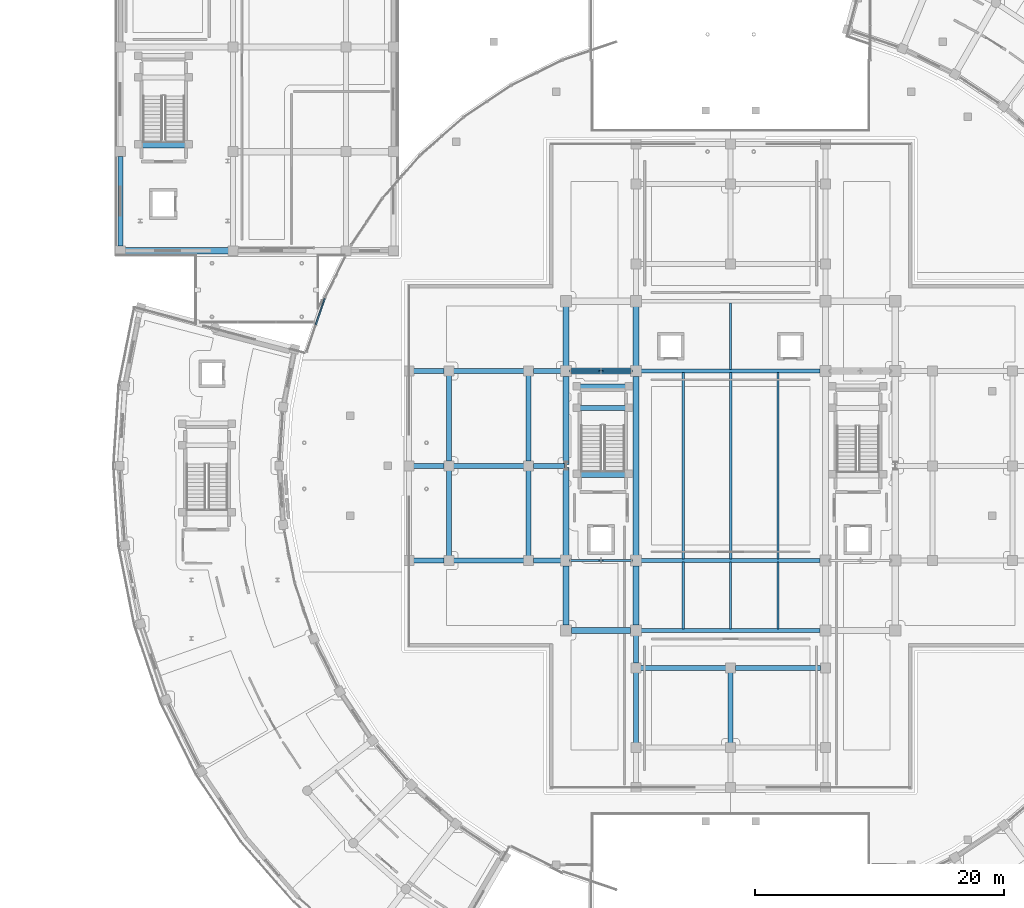
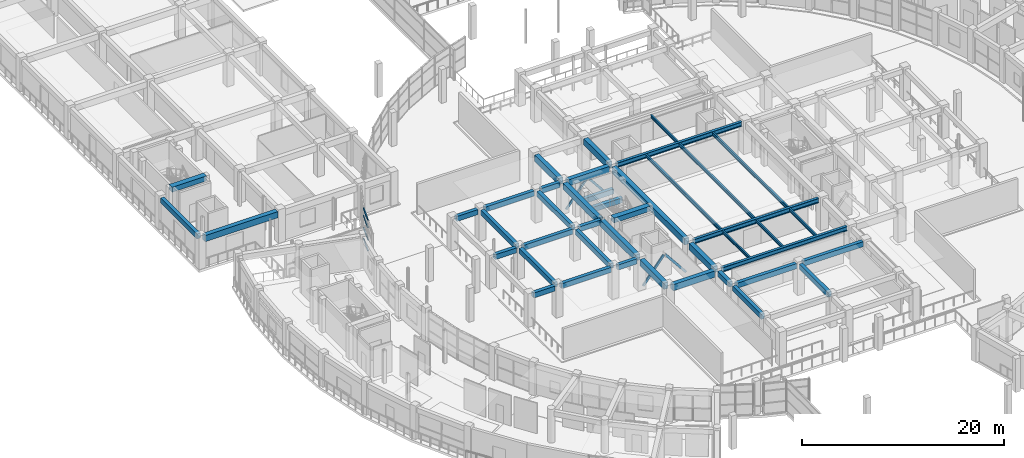
# One storey, part 27 of 87: 43 beams, 8 members, 1 element without a shape of its own.
"""IFC4 building model written with IfcOpenShell, lengths in metres."""

from ifc_helpers import new_model, si_unit, direction, frame, origin, origin_2d, place, context, subcontext, project, spatial, rectangle, hollow_rectangle, i_section, extrude, material, material_profile, profile_set, type_object, element, aggregate, save


model = new_model("IFC4")

# Units and contexts
model_context = context("Model", 3, precision=1e-05, world=origin(), true_north=direction((0.0, 1.0)))
body_context = subcontext(model_context, "Body", "Model", "MODEL_VIEW")
ifc_project = project(units=[si_unit("LENGTHUNIT", "METRE"), si_unit("AREAUNIT", "SQUARE_METRE"), si_unit("VOLUMEUNIT", "CUBIC_METRE"), si_unit("PLANEANGLEUNIT", "RADIAN"), si_unit("MASSUNIT", "GRAM", prefix="KILO")], contexts=[model_context])

# Site, building, storey
site_placement = place(None, origin())
site = spatial("IfcSite", under=ifc_project, at=site_placement, CompositionType="ELEMENT")
building_placement = place(site_placement, origin())
building = spatial("IfcBuilding", under=site, at=building_placement, Name="Saryqyr Civic Hall", CompositionType="ELEMENT")
storey_placement = place(building_placement, frame((0.0, 0.0, 5.10009765625)))
storey = spatial("IfcBuildingStorey", under=building, at=storey_placement, Name="L01", CompositionType="ELEMENT", Elevation=5.10009765625)

# Curtain wall, members
ifc_material_1 = material(Name="Anodised aluminium and triple low-E glass", Category="aluminium")
curtain_wall_type = type_object("IfcCurtainWallType", Name="ENV-CW-STD-74", PredefinedType="NOTDEFINED", material=ifc_material_1)
curtain_wall_placement = place(storey_placement, origin())
curtain_wall = element("IfcCurtainWall", 1, at=curtain_wall_placement, inside=storey, type_object=curtain_wall_type, Name="Curtain wall V2-PERIM-CW-L01-21", PredefinedType="NOTDEFINED")
ifc_material_2 = material(Name="Anodised aluminium", Category="aluminium")
ifc_material_profile_1 = material_profile(ifc_material_2, rectangle(XDim=0.1201171875, YDim=0.06005859375, at=origin_2d()), Name="ALU TRANSOM 120x60")
ifc_profile_set_1 = profile_set([ifc_material_profile_1], Name="Anodised aluminium")
member_type_1 = type_object("IfcMemberType", Name="ENV-CW-TRN-150", PredefinedType="USERDEFINED", material=ifc_profile_set_1)
member_1_placement = place(storey_placement, frame((23.730224609375, 95.3251953125, 0.02978515625), z_axis=(0.321384650933, 0.946948734697, 0.0), x_axis=(-0.946948734697, 0.321384650933, 0.0)))
member_1 = element("IfcMember", 2, at=member_1_placement, type_object=member_type_1, Name="CW-74 transom 2.1", ObjectType="TRANSOM", PredefinedType="USERDEFINED", context=body_context, shape_type="SweptSolid", body=[
    extrude(rectangle(XDim=0.1201171875, YDim=0.06005859375, at=origin_2d()), origin(), (0.0, 0.0, 1.0), 2.213623046875),
])
member_2_placement = place(storey_placement, frame((23.730224609375, 95.3251953125, 1.331787109375), z_axis=(0.321384650933, 0.946948734697, 0.0), x_axis=(-0.946948734697, 0.321384650933, 0.0)))
member_2 = element("IfcMember", 3, at=member_2_placement, type_object=member_type_1, Name="CW-74 transom 2.2", ObjectType="TRANSOM", PredefinedType="USERDEFINED", context=body_context, shape_type="SweptSolid", body=[
    extrude(rectangle(XDim=0.1201171875, YDim=0.06005859375, at=origin_2d()), origin(), (0.0, 0.0, 1.0), 2.213623046875),
])
member_3_placement = place(storey_placement, frame((23.730224609375, 95.3251953125, 2.81201171875), z_axis=(0.321384650933, 0.946948734697, 0.0), x_axis=(-0.946948734697, 0.321384650933, 0.0)))
member_3 = element("IfcMember", 4, at=member_3_placement, type_object=member_type_1, Name="CW-74 transom 2.3", ObjectType="TRANSOM", PredefinedType="USERDEFINED", context=body_context, shape_type="SweptSolid", body=[
    extrude(rectangle(XDim=0.1201171875, YDim=0.06005859375, at=origin_2d()), origin(), (0.0, 0.0, 1.0), 2.213623046875),
])
member_4_placement = place(storey_placement, frame((23.730224609375, 95.3251953125, 3.669921875), z_axis=(0.321384650933, 0.946948734697, 0.0), x_axis=(-0.946948734697, 0.321384650933, 0.0)))
member_4 = element("IfcMember", 5, at=member_4_placement, type_object=member_type_1, Name="CW-74 transom 2.4", ObjectType="TRANSOM", PredefinedType="USERDEFINED", context=body_context, shape_type="SweptSolid", body=[
    extrude(rectangle(XDim=0.1201171875, YDim=0.06005859375, at=origin_2d()), origin(), (0.0, 0.0, 1.0), 2.213623046875),
])
aggregate(curtain_wall, [member_1, member_2, member_3, member_4])

# Beams
ifc_material_3 = material(Name="Steel S355", Category="steel")
ifc_material_profile_2 = material_profile(ifc_material_3, i_section(OverallWidth=0.300048828125, OverallDepth=0.550048828125, WebThickness=0.014892578125, FlangeThickness=0.029052734375, at=origin_2d()), Name="HEB 550")
ifc_profile_set_2 = profile_set([ifc_material_profile_2], Name="Steel S355")
beam_type_1 = type_object("IfcBeamType", Name="STR-BM-HEB550", PredefinedType="BEAM", material=ifc_profile_set_2)
for number, where, z_axis, x_axis, name in (
    (6, (49.824951171875, 70.800048828125, 3.494873046875), (1.0, 0.0, 0.0), (0.0, 1.0, 0.0), "Beam V1-GBM-EW1-L01"),
    (7, (49.824951171875, 76.39990234375, 3.494873046875), (1.0, 0.0, 0.0), (0.0, 1.0, 0.0), "Beam V1-GBM-EW2-L01"),
    (8, (49.824951171875, 91.60009765625, 3.494873046875), (1.0, 0.0, 0.0), (0.0, 1.0, 0.0), "Beam V1-GBM-EW3-L01"),
):
    element("IfcBeam", number, at=place(storey_placement, frame(where, z_axis=z_axis, x_axis=x_axis)), inside=storey, type_object=beam_type_1, Name=name, PredefinedType="BEAM", context=body_context, shape_type="SweptSolid", body=[
        extrude(i_section(OverallWidth=0.300048828125, OverallDepth=0.550048828125, WebThickness=0.014892578125, FlangeThickness=0.029052734375, at=origin_2d()), origin(), (0.0, 0.0, 1.0), 14.35009765625),
    ])
ifc_material_4 = material(Name="Concrete C35/45", Category="concrete")
ifc_material_profile_3 = material_profile(ifc_material_4, rectangle(XDim=0.39990234375, YDim=0.60009765625, at=origin_2d()), Name="RC 400x600")
ifc_profile_set_3 = profile_set([ifc_material_profile_3], Name="Concrete C35/45")
beam_type_2 = type_object("IfcBeamType", Name="STR-BM-RC400x600", PredefinedType="BEAM", material=ifc_profile_set_3)
for number, where, z_axis, x_axis, name in (
    (9, (31.574951171875, 76.39990234375, 3.469970703125), (1.0, 0.0, 0.0), (0.0, 1.0, 0.0), "Beam V1-TBM-01-L01"),
    (10, (31.574951171875, 84.0, 3.469970703125), (1.0, 0.0, 0.0), (0.0, 1.0, 0.0), "Beam V1-TBM-02-L01"),
    (11, (31.574951171875, 91.60009765625, 3.469970703125), (1.0, 0.0, 0.0), (0.0, 1.0, 0.0), "Beam V1-TBM-03-L01"),
):
    element("IfcBeam", number, at=place(storey_placement, frame(where, z_axis=z_axis, x_axis=x_axis)), inside=storey, type_object=beam_type_2, Name=name, PredefinedType="BEAM", context=body_context, shape_type="SweptSolid", body=[
        extrude(rectangle(XDim=0.39990234375, YDim=0.60009765625, at=origin_2d()), origin(), (0.0, 0.0, 1.0), 2.449951171875),
    ])
for number, where, z_axis, x_axis, name in (
    (12, (34.77490234375, 76.39990234375, 3.469970703125), (1.0, 0.0, 0.0), (0.0, 1.0, 0.0), "Beam V1-TBM-21-L01"),
    (13, (34.77490234375, 84.0, 3.469970703125), (1.0, 0.0, 0.0), (0.0, 1.0, 0.0), "Beam V1-TBM-22-L01"),
    (14, (34.77490234375, 91.60009765625, 3.469970703125), (1.0, 0.0, 0.0), (0.0, 1.0, 0.0), "Beam V1-TBM-23-L01"),
    (15, (49.39990234375, 61.77490234375, 3.469970703125), (0.0, 1.0, 0.0), (-1.0, 0.0, 0.0), "Beam V1-TBM-27-L01"),
    (16, (57.0, 61.77490234375, 3.469970703125), (0.0, 1.0, 0.0), (-1.0, 0.0, 0.0), "Beam V1-TBM-28-L01"),
):
    element("IfcBeam", number, at=place(storey_placement, frame(where, z_axis=z_axis, x_axis=x_axis)), inside=storey, type_object=beam_type_2, Name=name, PredefinedType="BEAM", context=body_context, shape_type="SweptSolid", body=[
        extrude(rectangle(XDim=0.39990234375, YDim=0.60009765625, at=origin_2d()), origin(), (0.0, 0.0, 1.0), 5.650146484375),
    ])
for number, where, z_axis, x_axis, name in (
    (17, (34.39990234375, 76.77490234375, 3.469970703125), (0.0, 1.0, 0.0), (-1.0, 0.0, 0.0), "Beam V1-TBM-33-L01"),
    (18, (34.39990234375, 84.375, 3.469970703125), (0.0, 1.0, 0.0), (-1.0, 0.0, 0.0), "Beam V1-TBM-34-L01"),
):
    element("IfcBeam", number, at=place(storey_placement, frame(where, z_axis=z_axis, x_axis=x_axis)), inside=storey, type_object=beam_type_2, Name=name, PredefinedType="BEAM", context=body_context, shape_type="SweptSolid", body=[
        extrude(rectangle(XDim=0.39990234375, YDim=0.60009765625, at=origin_2d()), origin(), (0.0, 0.0, 1.0), 6.85009765625),
    ])
beam_1_placement = place(storey_placement, frame((41.175048828125, 76.39990234375, 3.469970703125), z_axis=(1.0, 0.0, 0.0), x_axis=(0.0, 1.0, 0.0)))
element("IfcBeam", 19, at=beam_1_placement, inside=storey, type_object=beam_type_2, Name="Beam V1-TBM-41-L01", PredefinedType="BEAM", context=body_context, shape_type="SweptSolid", body=[
    extrude(rectangle(XDim=0.39990234375, YDim=0.60009765625, at=origin_2d()), origin(), (0.0, 0.0, 1.0), 2.199951171875),
])
beam_2_placement = place(storey_placement, frame((41.175048828125, 84.0, 3.469970703125), z_axis=(1.0, 0.0, 0.0), x_axis=(0.0, 1.0, 0.0)))
element("IfcBeam", 20, at=beam_2_placement, inside=storey, type_object=beam_type_2, Name="Beam V1-TBM-42-L01", PredefinedType="BEAM", context=body_context, shape_type="SweptSolid", body=[
    extrude(rectangle(XDim=0.39990234375, YDim=0.60009765625, at=origin_2d()), origin(), (0.0, 0.0, 1.0), 2.5),
])
for number, where, z_axis, x_axis, name in (
    (21, (41.175048828125, 91.60009765625, 3.469970703125), (1.0, 0.0, 0.0), (0.0, 1.0, 0.0), "Beam V1-TBM-43-L01"),
    (22, (49.39990234375, 68.175048828125, 3.469970703125), (0.0, 1.0, 0.0), (-1.0, 0.0, 0.0), "Beam V1-TBM-47-L01"),
):
    element("IfcBeam", number, at=place(storey_placement, frame(where, z_axis=z_axis, x_axis=x_axis)), inside=storey, type_object=beam_type_2, Name=name, PredefinedType="BEAM", context=body_context, shape_type="SweptSolid", body=[
        extrude(rectangle(XDim=0.39990234375, YDim=0.60009765625, at=origin_2d()), origin(), (0.0, 0.0, 1.0), 2.199951171875),
    ])
for number, where, z_axis, x_axis, name in (
    (23, (40.800048828125, 76.77490234375, 3.469970703125), (0.0, 1.0, 0.0), (-1.0, 0.0, 0.0), "Beam V1-TBM-51-L01"),
    (24, (40.800048828125, 84.375, 3.469970703125), (0.0, 1.0, 0.0), (-1.0, 0.0, 0.0), "Beam V1-TBM-52-L01"),
    (25, (49.77490234375, 67.800048828125, 3.469970703125), (1.0, 0.0, 0.0), (0.0, 1.0, 0.0), "Beam V1-TBM-55-L01"),
    (26, (57.375, 67.800048828125, 3.469970703125), (1.0, 0.0, 0.0), (0.0, 1.0, 0.0), "Beam V1-TBM-56-L01"),
):
    element("IfcBeam", number, at=place(storey_placement, frame(where, z_axis=z_axis, x_axis=x_axis)), inside=storey, type_object=beam_type_2, Name=name, PredefinedType="BEAM", context=body_context, shape_type="SweptSolid", body=[
        extrude(rectangle(XDim=0.39990234375, YDim=0.60009765625, at=origin_2d()), origin(), (0.0, 0.0, 1.0), 6.85009765625),
    ])
beam_3_placement = place(storey_placement, frame((8.050048828125, 101.625, 3.469970703125), z_axis=(0.0, 1.0, 0.0), x_axis=(-1.0, 0.0, 0.0)))
element("IfcBeam", 27, at=beam_3_placement, inside=storey, type_object=beam_type_2, Name="Beam V3-BM-NS-1-1-L01", PredefinedType="BEAM", context=body_context, shape_type="SweptSolid", body=[
    extrude(rectangle(XDim=0.39990234375, YDim=0.60009765625, at=origin_2d()), origin(), (0.0, 0.0, 1.0), 7.199951171875),
])
for number, where, z_axis, x_axis, name in (
    (28, (48.800048828125, 88.64990234375, 1.52490234375), (-1.0, 0.0, 0.0), (0.0, -1.0, 0.0), "Stair half-landing support beam ST-1-LND1-L01"),
    (29, (48.800048828125, 90.3798828125, 1.52490234375), (-1.0, 0.0, 0.0), (0.0, -1.0, 0.0), "Stair half-landing support beam ST-1-LND2-L01"),
):
    element("IfcBeam", number, at=place(storey_placement, frame(where, z_axis=z_axis, x_axis=x_axis)), inside=storey, type_object=beam_type_2, Name=name, PredefinedType="BEAM", context=body_context, shape_type="SweptSolid", body=[
        extrude(rectangle(XDim=0.39990234375, YDim=0.60009765625, at=origin_2d()), origin(), (0.0, 0.0, 1.0), 4.10009765625),
    ])
ifc_material_5 = material(Name="Concrete C40/50", Category="concrete")
ifc_material_profile_4 = material_profile(ifc_material_5, rectangle(XDim=0.5, YDim=0.75, at=origin_2d()), Name="RC 500x750")
ifc_profile_set_4 = profile_set([ifc_material_profile_4], Name="Concrete C40/50")
beam_type_3 = type_object("IfcBeamType", Name="STR-BM-RC500x750", PredefinedType="BEAM", material=ifc_profile_set_4)
for number, where, z_axis, x_axis, name in (
    (30, (44.22509765625, 70.800048828125, 3.39501953125), (1.0, 0.0, 0.0), (0.0, 1.0, 0.0), "Beam V1-WBM-W1-L01"),
    (31, (44.22509765625, 91.60009765625, 3.39501953125), (1.0, 0.0, 0.0), (0.0, 1.0, 0.0), "Beam V1-WBM-W3-L01"),
    (32, (43.800048828125, 71.22509765625, 3.39501953125), (0.0, 1.0, 0.0), (-1.0, 0.0, 0.0), "Beam V1-BM-NS11-L01"),
):
    element("IfcBeam", number, at=place(storey_placement, frame(where, z_axis=z_axis, x_axis=x_axis)), inside=storey, type_object=beam_type_3, Name=name, PredefinedType="BEAM", context=body_context, shape_type="SweptSolid", body=[
        extrude(rectangle(XDim=0.5, YDim=0.75, at=origin_2d()), origin(), (0.0, 0.0, 1.0), 4.75),
    ])
for number, where, z_axis, x_axis, name in (
    (33, (43.800048828125, 76.824951171875, 3.39501953125), (0.0, 1.0, 0.0), (-1.0, 0.0, 0.0), "Beam V1-BM-NS1A-L01"),
    (34, (43.800048828125, 84.125, 3.39501953125), (0.0, 1.0, 0.0), (-1.0, 0.0, 0.0), "Beam V1-BM-NS1B-L01"),
):
    element("IfcBeam", number, at=place(storey_placement, frame(where, z_axis=z_axis, x_axis=x_axis)), inside=storey, type_object=beam_type_3, Name=name, PredefinedType="BEAM", context=body_context, shape_type="SweptSolid", body=[
        extrude(rectangle(XDim=0.5, YDim=0.75, at=origin_2d()), origin(), (0.0, 0.0, 1.0), 7.050048828125),
    ])
for number, where, z_axis, x_axis, name in (
    (35, (43.800048828125, 92.02490234375, 3.39501953125), (0.0, 1.0, 0.0), (-1.0, 0.0, 0.0), "Beam V1-BM-NS13-L01"),
    (36, (49.39990234375, 71.22509765625, 3.39501953125), (0.0, 1.0, 0.0), (-1.0, 0.0, 0.0), "Beam V1-BM-NS21-L01"),
):
    element("IfcBeam", number, at=place(storey_placement, frame(where, z_axis=z_axis, x_axis=x_axis)), inside=storey, type_object=beam_type_3, Name=name, PredefinedType="BEAM", context=body_context, shape_type="SweptSolid", body=[
        extrude(rectangle(XDim=0.5, YDim=0.75, at=origin_2d()), origin(), (0.0, 0.0, 1.0), 4.75),
    ])
beam_4_placement = place(storey_placement, frame((49.39990234375, 76.824951171875, 3.39501953125), z_axis=(0.0, 1.0, 0.0), x_axis=(-1.0, 0.0, 0.0)))
element("IfcBeam", 37, at=beam_4_placement, inside=storey, type_object=beam_type_3, Name="Beam V1-BM-NS22-L01", PredefinedType="BEAM", context=body_context, shape_type="SweptSolid", body=[
    extrude(rectangle(XDim=0.5, YDim=0.75, at=origin_2d()), origin(), (0.0, 0.0, 1.0), 14.35009765625),
])
beam_5_placement = place(storey_placement, frame((49.39990234375, 92.02490234375, 3.39501953125), z_axis=(0.0, 1.0, 0.0), x_axis=(-1.0, 0.0, 0.0)))
element("IfcBeam", 38, at=beam_5_placement, inside=storey, type_object=beam_type_3, Name="Beam V1-BM-NS23-L01", PredefinedType="BEAM", context=body_context, shape_type="SweptSolid", body=[
    extrude(rectangle(XDim=0.5, YDim=0.75, at=origin_2d()), origin(), (0.0, 0.0, 1.0), 4.75),
])
beam_6_placement = place(storey_placement, frame((8.425048828125, 101.25, 3.39501953125), z_axis=(1.0, 0.0, 0.0), x_axis=(0.0, 1.0, 0.0)))
element("IfcBeam", 39, at=beam_6_placement, inside=storey, type_object=beam_type_3, Name="Beam V3-BM-EW-1-1-L01", PredefinedType="BEAM", context=body_context, shape_type="SweptSolid", body=[
    extrude(rectangle(XDim=0.5, YDim=0.75, at=origin_2d()), origin(), (0.0, 0.0, 1.0), 8.300048828125),
])
ifc_material_profile_5 = material_profile(ifc_material_5, rectangle(XDim=0.60009765625, YDim=0.60009765625, at=origin_2d()), Name="RC 600x600")
ifc_profile_set_5 = profile_set([ifc_material_profile_5], Name="Concrete C40/50")
beam_type_4 = type_object("IfcBeamType", Name="STR-BM-RC600x600", PredefinedType="BEAM", material=ifc_profile_set_5)
beam_7_placement = place(storey_placement, frame((48.800048828125, 83.364990234375, 3.75), z_axis=(-1.0, 0.0, 0.0), x_axis=(0.0, -1.0, 0.0)))
element("IfcBeam", 40, at=beam_7_placement, inside=storey, type_object=beam_type_4, Name="Stair well trimmer beam ST-1-L02", PredefinedType="BEAM", context=body_context, shape_type="SweptSolid", body=[
    extrude(rectangle(XDim=0.60009765625, YDim=0.60009765625, at=origin_2d()), origin(), (0.0, 0.0, 1.0), 4.10009765625),
])
beam_8_placement = place(storey_placement, frame((13.5, 109.794921875, 3.75), z_axis=(-1.0, 0.0, 0.0), x_axis=(0.0, -1.0, 0.0)))
element("IfcBeam", 41, at=beam_8_placement, inside=storey, type_object=beam_type_4, Name="Stair well trimmer beam ST-3-L02", PredefinedType="BEAM", context=body_context, shape_type="SweptSolid", body=[
    extrude(rectangle(XDim=0.60009765625, YDim=0.60009765625, at=origin_2d()), origin(), (0.0, 0.0, 1.0), 3.9599609375),
])

# Members
ifc_material_profile_6 = material_profile(ifc_material_3, hollow_rectangle(XDim=0.14990234375, YDim=0.25, WallThickness=0.012451171875, at=origin_2d()), Name="RHS 250x150x12.5")
ifc_profile_set_6 = profile_set([ifc_material_profile_6], Name="Steel S355")
member_type_2 = type_object("IfcMemberType", Name="STR-BR-RHS250", PredefinedType="BRACE", material=ifc_profile_set_6)
for number, where, z_axis, x_axis, name in (
    (42, (44.159912109375, 76.39990234375, 0.119873046875), (0.627310953743, 0.0, 0.778768879267), (0.0, 1.0, 0.0), "Seismic chevron brace 1A L01"),
    (43, (49.0400390625, 76.39990234375, 0.119873046875), (-0.627310953743, 0.0, 0.778768879267), (0.0, -1.0, 0.0), "Seismic chevron brace 1B L01"),
    (44, (44.159912109375, 91.60009765625, 0.119873046875), (0.627310953743, 0.0, 0.778768879267), (0.0, 1.0, 0.0), "Seismic chevron brace 3A L01"),
    (45, (49.0400390625, 91.60009765625, 0.119873046875), (-0.627310953743, 0.0, 0.778768879267), (0.0, -1.0, 0.0), "Seismic chevron brace 3B L01"),
):
    element("IfcMember", number, at=place(storey_placement, frame(where, z_axis=z_axis, x_axis=x_axis)), inside=storey, type_object=member_type_2, Name=name, PredefinedType="BRACE", context=body_context, shape_type="SweptSolid", body=[
        extrude(hollow_rectangle(XDim=0.14990234375, YDim=0.25, WallThickness=0.012451171875, at=origin_2d()), origin(), (0.0, 0.0, 1.0), 3.76220703125),
    ])

# Beams
ifc_material_profile_7 = material_profile(ifc_material_3, i_section(OverallWidth=0.169921875, OverallDepth=0.360107421875, WebThickness=0.008056640625, FlangeThickness=0.0126953125, at=origin_2d()), Name="IPE 360")
ifc_profile_set_7 = profile_set([ifc_material_profile_7], Name="Steel S355")
beam_type_5 = type_object("IfcBeamType", Name="STR-JST-IPE360", PredefinedType="JOIST", material=ifc_profile_set_7)
for number, where, z_axis, x_axis, name in (
    (46, (53.199951171875, 70.929931640625, 3.58984375), (0.0, 1.0, 0.0), (-1.0, 0.0, 0.0), "Beam V1-JST-1-1-L01"),
    (47, (57.0, 70.929931640625, 3.58984375), (0.0, 1.0, 0.0), (-1.0, 0.0, 0.0), "Beam V1-JST-2-1-L01"),
    (48, (57.0, 91.72998046875, 3.58984375), (0.0, 1.0, 0.0), (-1.0, 0.0, 0.0), "Beam V1-JST-2-3-L01"),
    (49, (60.800048828125, 70.929931640625, 3.58984375), (0.0, 1.0, 0.0), (-1.0, 0.0, 0.0), "Beam V1-JST-3-1-L01"),
):
    element("IfcBeam", number, at=place(storey_placement, frame(where, z_axis=z_axis, x_axis=x_axis)), inside=storey, type_object=beam_type_5, Name=name, PredefinedType="JOIST", context=body_context, shape_type="SweptSolid", body=[
        extrude(i_section(OverallWidth=0.169921875, OverallDepth=0.360107421875, WebThickness=0.008056640625, FlangeThickness=0.0126953125, at=origin_2d()), origin(), (0.0, 0.0, 1.0), 5.340087890625),
    ])
ifc_material_profile_8 = material_profile(ifc_material_3, i_section(OverallWidth=0.179931640625, OverallDepth=0.39990234375, WebThickness=0.008544921875, FlangeThickness=0.013427734375, at=origin_2d()), Name="IPE 400")
ifc_profile_set_8 = profile_set([ifc_material_profile_8], Name="Steel S355")
beam_type_6 = type_object("IfcBeamType", Name="STR-JST-IPE400", PredefinedType="JOIST", material=ifc_profile_set_8)
for number, where, z_axis, x_axis, name in (
    (50, (53.199951171875, 76.530029296875, 3.56982421875), (0.0, 1.0, 0.0), (-1.0, 0.0, 0.0), "Beam V1-JST-1-2-L01"),
    (51, (57.0, 76.530029296875, 3.56982421875), (0.0, 1.0, 0.0), (-1.0, 0.0, 0.0), "Beam V1-JST-2-2-L01"),
    (52, (60.800048828125, 76.530029296875, 3.56982421875), (0.0, 1.0, 0.0), (-1.0, 0.0, 0.0), "Beam V1-JST-3-2-L01"),
):
    element("IfcBeam", number, at=place(storey_placement, frame(where, z_axis=z_axis, x_axis=x_axis)), inside=storey, type_object=beam_type_6, Name=name, PredefinedType="JOIST", context=body_context, shape_type="SweptSolid", body=[
        extrude(i_section(OverallWidth=0.179931640625, OverallDepth=0.39990234375, WebThickness=0.008544921875, FlangeThickness=0.013427734375, at=origin_2d()), origin(), (0.0, 0.0, 1.0), 14.93994140625),
    ])

save(model, "model.ifc")
